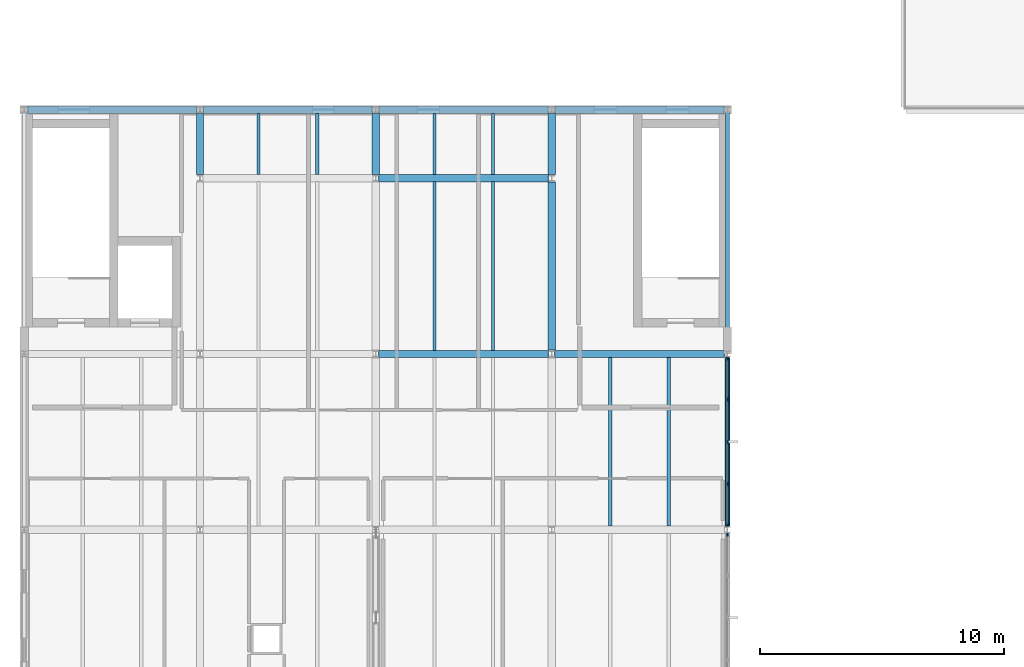
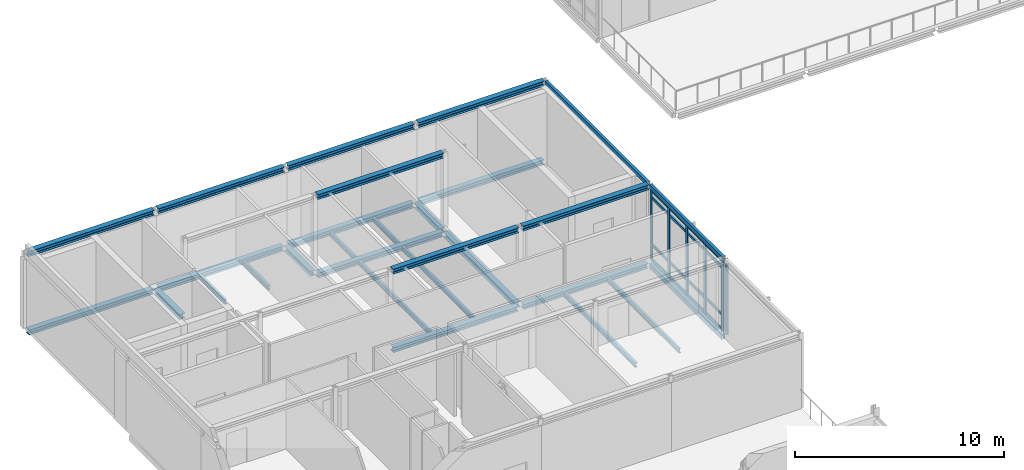
# One storey, part 18 of 53: 29 beams, 22 members, 2 elements without a shape of their own.
"""IFC4 building model written with IfcOpenShell, lengths in metres."""

from ifc_helpers import new_model, si_unit, direction, frame, origin, origin_2d, place, context, subcontext, project, spatial, rectangle, hollow_rectangle, i_section, extrude, material, layer, layer_set, material_profile, profile_set, type_object, element, aggregate, save


model = new_model("IFC4")

# Units and contexts
model_context = context("Model", 3, precision=1e-05, world=origin(), true_north=direction((0.0, 1.0)))
body_context = subcontext(model_context, "Body", "Model", "MODEL_VIEW")
ifc_project = project(units=[si_unit("LENGTHUNIT", "METRE"), si_unit("AREAUNIT", "SQUARE_METRE"), si_unit("VOLUMEUNIT", "CUBIC_METRE"), si_unit("PLANEANGLEUNIT", "RADIAN"), si_unit("MASSUNIT", "GRAM", prefix="KILO")], contexts=[model_context])

# Site, building, storey
site_placement = place(None, origin())
site = spatial("IfcSite", under=ifc_project, at=site_placement, CompositionType="ELEMENT")
building_placement = place(site_placement, origin())
building = spatial("IfcBuilding", under=site, at=building_placement, Name="Zarrinpeak Specialist Clinic", CompositionType="ELEMENT")
storey_placement = place(building_placement, frame((0.0, 0.0, 14.0)))
storey = spatial("IfcBuildingStorey", under=building, at=storey_placement, Name="L03", CompositionType="ELEMENT", Elevation=14.0)

# Beams
ifc_material_1 = material(Name="Steel S355", Category="steel")
ifc_material_profile_1 = material_profile(ifc_material_1, i_section(OverallWidth=0.300048828125, OverallDepth=0.2900390625, WebThickness=0.008544921875, FlangeThickness=0.013916015625, FilletRadius=0.027099609375, at=origin_2d()), Name="HEA 300")
ifc_profile_set_1 = profile_set([ifc_material_profile_1], Name="Steel S355")
beam_type_1 = type_object("IfcBeamType", Name="BM-HEA300", PredefinedType="BEAM", material=ifc_profile_set_1)
beam_1_placement = place(storey_placement, frame((14.548095703125, 72.0, -0.344970703125), z_axis=(1.0, 0.0, 0.0), x_axis=(0.0, 1.0, 0.0)))
element("IfcBeam", 1, at=beam_1_placement, inside=storey, type_object=beam_type_1, Name="L03 Primary Floor Girder BM-L03-X1563", PredefinedType="BEAM", context=body_context, shape_type="SweptSolid", body=[
    extrude(i_section(OverallWidth=0.300048828125, OverallDepth=0.2900390625, WebThickness=0.008544921875, FlangeThickness=0.013916015625, FilletRadius=0.027099609375, at=origin_2d()), origin(), (0.0, 0.0, 1.0), 6.90380859375),
])
beam_2_placement = place(storey_placement, frame((21.748046875, 72.0, -0.344970703125), z_axis=(1.0, 0.0, 0.0), x_axis=(0.0, 1.0, 0.0)))
element("IfcBeam", 2, at=beam_2_placement, inside=storey, type_object=beam_type_1, Name="L03 Primary Floor Girder BM-L03-X1564", PredefinedType="BEAM", context=body_context, shape_type="SweptSolid", body=[
    extrude(i_section(OverallWidth=0.300048828125, OverallDepth=0.2900390625, WebThickness=0.008544921875, FlangeThickness=0.013916015625, FilletRadius=0.027099609375, at=origin_2d()), origin(), (0.0, 0.0, 1.0), 6.904052734375),
])
beam_3_placement = place(storey_placement, frame((14.548095703125, 79.199951171875, -0.344970703125), z_axis=(1.0, 0.0, 0.0), x_axis=(0.0, 1.0, 0.0)))
element("IfcBeam", 3, at=beam_3_placement, inside=storey, type_object=beam_type_1, Name="L03 Primary Floor Girder BM-L03-X1566", PredefinedType="BEAM", context=body_context, shape_type="SweptSolid", body=[
    extrude(i_section(OverallWidth=0.300048828125, OverallDepth=0.2900390625, WebThickness=0.008544921875, FlangeThickness=0.013916015625, FilletRadius=0.027099609375, at=origin_2d()), origin(), (0.0, 0.0, 1.0), 6.90380859375),
])
for number, where, z_axis, x_axis, name in (
    (4, (0.14794921875, 82.0, -0.344970703125), (1.0, 0.0, 0.0), (0.0, 1.0, 0.0), "L03 Primary Floor Girder BM-L03-X1567"),
    (5, (7.347900390625, 82.0, -0.344970703125), (1.0, 0.0, 0.0), (0.0, 1.0, 0.0), "L03 Primary Floor Girder BM-L03-X1568"),
):
    element("IfcBeam", number, at=place(storey_placement, frame(where, z_axis=z_axis, x_axis=x_axis)), inside=storey, type_object=beam_type_1, Name=name, PredefinedType="BEAM", context=body_context, shape_type="SweptSolid", body=[
        extrude(i_section(OverallWidth=0.300048828125, OverallDepth=0.2900390625, WebThickness=0.008544921875, FlangeThickness=0.013916015625, FilletRadius=0.027099609375, at=origin_2d()), origin(), (0.0, 0.0, 1.0), 6.904052734375),
    ])
beam_4_placement = place(storey_placement, frame((14.548095703125, 82.0, -0.344970703125), z_axis=(1.0, 0.0, 0.0), x_axis=(0.0, 1.0, 0.0)))
element("IfcBeam", 6, at=beam_4_placement, inside=storey, type_object=beam_type_1, Name="L03 Primary Floor Girder BM-L03-X1569", PredefinedType="BEAM", context=body_context, shape_type="SweptSolid", body=[
    extrude(i_section(OverallWidth=0.300048828125, OverallDepth=0.2900390625, WebThickness=0.008544921875, FlangeThickness=0.013916015625, FilletRadius=0.027099609375, at=origin_2d()), origin(), (0.0, 0.0, 1.0), 6.90380859375),
])
beam_5_placement = place(storey_placement, frame((21.748046875, 82.0, -0.344970703125), z_axis=(1.0, 0.0, 0.0), x_axis=(0.0, 1.0, 0.0)))
element("IfcBeam", 7, at=beam_5_placement, inside=storey, type_object=beam_type_1, Name="L03 Primary Floor Girder BM-L03-X1570", PredefinedType="BEAM", context=body_context, shape_type="SweptSolid", body=[
    extrude(i_section(OverallWidth=0.300048828125, OverallDepth=0.2900390625, WebThickness=0.008544921875, FlangeThickness=0.013916015625, FilletRadius=0.027099609375, at=origin_2d()), origin(), (0.0, 0.0, 1.0), 6.904052734375),
])
for number, where, z_axis, x_axis, name in (
    (8, (7.199951171875, 79.35791015625, -0.344970703125), (0.0, 1.0, 0.0), (-1.0, 0.0, 0.0), "L03 Primary Beam BM-L03-Y1611"),
    (9, (14.39990234375, 79.35791015625, -0.344970703125), (0.0, 1.0, 0.0), (-1.0, 0.0, 0.0), "L03 Primary Beam BM-L03-Y1623"),
):
    element("IfcBeam", number, at=place(storey_placement, frame(where, z_axis=z_axis, x_axis=x_axis)), inside=storey, type_object=beam_type_1, Name=name, PredefinedType="BEAM", context=body_context, shape_type="SweptSolid", body=[
        extrude(i_section(OverallWidth=0.300048828125, OverallDepth=0.2900390625, WebThickness=0.008544921875, FlangeThickness=0.013916015625, FilletRadius=0.027099609375, at=origin_2d()), origin(), (0.0, 0.0, 1.0), 2.484130859375),
    ])
beam_6_placement = place(storey_placement, frame((21.60009765625, 72.157958984375, -0.344970703125), z_axis=(0.0, 1.0, 0.0), x_axis=(-1.0, 0.0, 0.0)))
element("IfcBeam", 10, at=beam_6_placement, inside=storey, type_object=beam_type_1, Name="L03 Primary Beam BM-L03-Y1634", PredefinedType="BEAM", context=body_context, shape_type="SweptSolid", body=[
    extrude(i_section(OverallWidth=0.300048828125, OverallDepth=0.2900390625, WebThickness=0.008544921875, FlangeThickness=0.013916015625, FilletRadius=0.027099609375, at=origin_2d()), origin(), (0.0, 0.0, 1.0), 6.884033203125),
])
beam_7_placement = place(storey_placement, frame((21.60009765625, 79.35791015625, -0.344970703125), z_axis=(0.0, 1.0, 0.0), x_axis=(-1.0, 0.0, 0.0)))
element("IfcBeam", 11, at=beam_7_placement, inside=storey, type_object=beam_type_1, Name="L03 Primary Beam BM-L03-Y1635", PredefinedType="BEAM", context=body_context, shape_type="SweptSolid", body=[
    extrude(i_section(OverallWidth=0.300048828125, OverallDepth=0.2900390625, WebThickness=0.008544921875, FlangeThickness=0.013916015625, FilletRadius=0.027099609375, at=origin_2d()), origin(), (0.0, 0.0, 1.0), 2.484130859375),
])
for number, where, z_axis, x_axis, name in (
    (12, (14.51806640625, 72.0, 4.25), (1.0, 0.0, 0.0), (0.0, 1.0, 0.0), "L03 Gable Eave Tie Girder V5 BM-RF-EAVE-2433"),
    (13, (21.718017578125, 72.0, 4.25), (1.0, 0.0, 0.0), (0.0, 1.0, 0.0), "L03 Gable Eave Tie Girder V5 BM-RF-EAVE-2434"),
    (14, (14.51806640625, 79.199951171875, 4.25), (1.0, 0.0, 0.0), (0.0, 1.0, 0.0), "L03 Gable Eave Tie Girder V5 BM-RF-EAVE-2436"),
):
    element("IfcBeam", number, at=place(storey_placement, frame(where, z_axis=z_axis, x_axis=x_axis)), inside=storey, type_object=beam_type_1, Name=name, PredefinedType="BEAM", context=body_context, shape_type="SweptSolid", body=[
        extrude(i_section(OverallWidth=0.300048828125, OverallDepth=0.2900390625, WebThickness=0.008544921875, FlangeThickness=0.013916015625, FilletRadius=0.027099609375, at=origin_2d()), origin(), (0.0, 0.0, 1.0), 6.9638671875),
    ])
beam_8_placement = place(storey_placement, frame((0.117919921875, 82.0, 4.25), z_axis=(1.0, 0.0, 0.0), x_axis=(0.0, 1.0, 0.0)))
element("IfcBeam", 15, at=beam_8_placement, inside=storey, type_object=beam_type_1, Name="L03 Gable Eave Tie Girder V5 BM-RF-EAVE-2437", PredefinedType="BEAM", context=body_context, shape_type="SweptSolid", body=[
    extrude(i_section(OverallWidth=0.300048828125, OverallDepth=0.2900390625, WebThickness=0.008544921875, FlangeThickness=0.013916015625, FilletRadius=0.027099609375, at=origin_2d()), origin(), (0.0, 0.0, 1.0), 6.964111328125),
])
for number, where, z_axis, x_axis, name in (
    (16, (7.318115234375, 82.0, 4.25), (1.0, 0.0, 0.0), (0.0, 1.0, 0.0), "L03 Gable Eave Tie Girder V5 BM-RF-EAVE-2438"),
    (17, (14.51806640625, 82.0, 4.25), (1.0, 0.0, 0.0), (0.0, 1.0, 0.0), "L03 Gable Eave Tie Girder V5 BM-RF-EAVE-2439"),
    (18, (21.718017578125, 82.0, 4.25), (1.0, 0.0, 0.0), (0.0, 1.0, 0.0), "L03 Gable Eave Tie Girder V5 BM-RF-EAVE-2440"),
):
    element("IfcBeam", number, at=place(storey_placement, frame(where, z_axis=z_axis, x_axis=x_axis)), inside=storey, type_object=beam_type_1, Name=name, PredefinedType="BEAM", context=body_context, shape_type="SweptSolid", body=[
        extrude(i_section(OverallWidth=0.300048828125, OverallDepth=0.2900390625, WebThickness=0.008544921875, FlangeThickness=0.013916015625, FilletRadius=0.027099609375, at=origin_2d()), origin(), (0.0, 0.0, 1.0), 6.9638671875),
    ])
ifc_material_profile_2 = material_profile(ifc_material_1, i_section(OverallWidth=0.135009765625, OverallDepth=0.27001953125, WebThickness=0.006591796875, FlangeThickness=0.01025390625, FilletRadius=0.014892578125, at=origin_2d()), Name="IPE 270")
ifc_profile_set_2 = profile_set([ifc_material_profile_2], Name="Steel S355")
beam_type_2 = type_object("IfcBeamType", Name="BM-JST270", PredefinedType="JOIST", material=ifc_profile_set_2)
for number, where, z_axis, x_axis, name in (
    (19, (9.60009765625, 79.347900390625, -0.3349609375), (0.0, 1.0, 0.0), (-1.0, 0.0, 0.0), "L03 Composite Floor Joist JST-L03-1770"),
    (20, (12.0, 79.347900390625, -0.3349609375), (0.0, 1.0, 0.0), (-1.0, 0.0, 0.0), "L03 Composite Floor Joist JST-L03-1771"),
):
    element("IfcBeam", number, at=place(storey_placement, frame(where, z_axis=z_axis, x_axis=x_axis)), inside=storey, type_object=beam_type_2, Name=name, PredefinedType="JOIST", context=body_context, shape_type="SweptSolid", body=[
        extrude(i_section(OverallWidth=0.135009765625, OverallDepth=0.27001953125, WebThickness=0.006591796875, FlangeThickness=0.01025390625, FilletRadius=0.014892578125, at=origin_2d()), origin(), (0.0, 0.0, 1.0), 2.504150390625),
    ])
for number, where, z_axis, x_axis, name in (
    (21, (16.800048828125, 72.14794921875, -0.3349609375), (0.0, 1.0, 0.0), (-1.0, 0.0, 0.0), "L03 Composite Floor Joist JST-L03-1776"),
    (22, (19.199951171875, 72.14794921875, -0.3349609375), (0.0, 1.0, 0.0), (-1.0, 0.0, 0.0), "L03 Composite Floor Joist JST-L03-1777"),
):
    element("IfcBeam", number, at=place(storey_placement, frame(where, z_axis=z_axis, x_axis=x_axis)), inside=storey, type_object=beam_type_2, Name=name, PredefinedType="JOIST", context=body_context, shape_type="SweptSolid", body=[
        extrude(i_section(OverallWidth=0.135009765625, OverallDepth=0.27001953125, WebThickness=0.006591796875, FlangeThickness=0.01025390625, FilletRadius=0.014892578125, at=origin_2d()), origin(), (0.0, 0.0, 1.0), 6.904052734375),
    ])
for number, where, z_axis, x_axis, name in (
    (23, (16.800048828125, 79.347900390625, -0.3349609375), (0.0, 1.0, 0.0), (-1.0, 0.0, 0.0), "L03 Composite Floor Joist JST-L03-1778"),
    (24, (19.199951171875, 79.347900390625, -0.3349609375), (0.0, 1.0, 0.0), (-1.0, 0.0, 0.0), "L03 Composite Floor Joist JST-L03-1779"),
):
    element("IfcBeam", number, at=place(storey_placement, frame(where, z_axis=z_axis, x_axis=x_axis)), inside=storey, type_object=beam_type_2, Name=name, PredefinedType="JOIST", context=body_context, shape_type="SweptSolid", body=[
        extrude(i_section(OverallWidth=0.135009765625, OverallDepth=0.27001953125, WebThickness=0.006591796875, FlangeThickness=0.01025390625, FilletRadius=0.014892578125, at=origin_2d()), origin(), (0.0, 0.0, 1.0), 2.504150390625),
    ])
for number, where, z_axis, x_axis, name in (
    (25, (24.0, 64.947998046875, -0.3349609375), (0.0, 1.0, 0.0), (-1.0, 0.0, 0.0), "L03 Composite Floor Joist JST-L03-1782"),
    (26, (26.39990234375, 64.947998046875, -0.3349609375), (0.0, 1.0, 0.0), (-1.0, 0.0, 0.0), "L03 Composite Floor Joist JST-L03-1783"),
):
    element("IfcBeam", number, at=place(storey_placement, frame(where, z_axis=z_axis, x_axis=x_axis)), inside=storey, type_object=beam_type_2, Name=name, PredefinedType="JOIST", context=body_context, shape_type="SweptSolid", body=[
        extrude(i_section(OverallWidth=0.135009765625, OverallDepth=0.27001953125, WebThickness=0.006591796875, FlangeThickness=0.01025390625, FilletRadius=0.014892578125, at=origin_2d()), origin(), (0.0, 0.0, 1.0), 6.904052734375),
    ])
ifc_material_profile_3 = material_profile(ifc_material_1, hollow_rectangle(XDim=0.14990234375, YDim=0.25, WallThickness=0.010009765625, at=origin_2d()), Name="RHS 250x150x10.0")
ifc_profile_set_3 = profile_set([ifc_material_profile_3], Name="Steel S355")
beam_type_3 = type_object("IfcBeamType", Name="BM-SP250", PredefinedType="SPANDREL", material=ifc_profile_set_3)
beam_9_placement = place(storey_placement, frame((28.800048828125, 64.91796875, 4.25), z_axis=(0.0, 1.0, 0.0), x_axis=(-1.0, 0.0, 0.0)))
element("IfcBeam", 27, at=beam_9_placement, inside=storey, type_object=beam_type_3, Name="L03 Gable Eave Spandrel Beam V5 BM-RF-SP-2445", PredefinedType="SPANDREL", context=body_context, shape_type="SweptSolid", body=[
    extrude(hollow_rectangle(XDim=0.14990234375, YDim=0.25, WallThickness=0.010009765625, at=origin_2d()), origin(), (0.0, 0.0, 1.0), 6.964111328125),
])
beam_10_placement = place(storey_placement, frame((28.800048828125, 72.117919921875, 4.25), z_axis=(0.0, 1.0, 0.0), x_axis=(-1.0, 0.0, 0.0)))
element("IfcBeam", 28, at=beam_10_placement, inside=storey, type_object=beam_type_3, Name="L03 Gable Eave Spandrel Beam V5 BM-RF-SP-2446", PredefinedType="SPANDREL", context=body_context, shape_type="SweptSolid", body=[
    extrude(hollow_rectangle(XDim=0.14990234375, YDim=0.25, WallThickness=0.010009765625, at=origin_2d()), origin(), (0.0, 0.0, 1.0), 9.76416015625),
])
ifc_material_profile_4 = material_profile(ifc_material_1, hollow_rectangle(XDim=0.199951171875, YDim=0.300048828125, WallThickness=0.012451171875, at=origin_2d()), Name="RHS 300x200x12.5")
ifc_profile_set_4 = profile_set([ifc_material_profile_4], Name="Steel S355")
beam_type_4 = type_object("IfcBeamType", Name="BM-SP300", PredefinedType="SPANDREL", material=ifc_profile_set_4)
beam_11_placement = place(storey_placement, frame((28.800048828125, 64.9580078125, -0.35009765625), z_axis=(0.0, 1.0, 0.0), x_axis=(-1.0, 0.0, 0.0)))
element("IfcBeam", 29, at=beam_11_placement, inside=storey, type_object=beam_type_4, Name="L03 Perimeter Spandrel Beam BM-L03-Y1642", PredefinedType="SPANDREL", context=body_context, shape_type="SweptSolid", body=[
    extrude(hollow_rectangle(XDim=0.199951171875, YDim=0.300048828125, WallThickness=0.012451171875, at=origin_2d()), origin(), (0.0, 0.0, 1.0), 6.884033203125),
])

# Curtain wall, member
ifc_material_2 = material(Name="Anodised Aluminium Alloy 6063-T6", Category="aluminium")
ifc_layer = layer(ifc_material_2, 0.179931640625)
ifc_layer_set = layer_set([ifc_layer], Name="Anodised Aluminium Alloy 6063-T6")
curtain_wall_type = type_object("IfcCurtainWallType", Name="CW-COURT", PredefinedType="NOTDEFINED", material=ifc_layer_set)
curtain_wall_1_placement = place(storey_placement, origin())
curtain_wall_1 = element("IfcCurtainWall", 30, at=curtain_wall_1_placement, inside=storey, type_object=curtain_wall_type, Name="L03 V5 Unitised Curtain Wall CW-L03-V5-127", PredefinedType="NOTDEFINED")
ifc_material_profile_5 = material_profile(ifc_material_2, rectangle(XDim=0.074951171875, YDim=0.179931640625, at=origin_2d()), Name="ALU 75x180")
ifc_profile_set_5 = profile_set([ifc_material_profile_5], Name="Anodised Aluminium Alloy 6063-T6")
member_type_1 = type_object("IfcMemberType", Name="CWM-75", PredefinedType="MULLION", material=ifc_profile_set_5)
member_1_placement = place(storey_placement, frame((28.800048828125, 64.617431640625, 0.0), z_axis=(0.0, 0.0, 1.0), x_axis=(-1.0, 0.0, 0.0)))
member_1 = element("IfcMember", 31, at=member_1_placement, type_object=member_type_1, Name="CW-01 mullion 5", PredefinedType="MULLION", context=body_context, shape_type="SweptSolid", body=[
    extrude(rectangle(XDim=0.074951171875, YDim=0.179931640625, at=origin_2d()), origin(), (0.0, 0.0, 1.0), 4.110107421875),
])
aggregate(curtain_wall_1, [member_1])

# Curtain wall, members
curtain_wall_2_placement = place(storey_placement, origin())
curtain_wall_2 = element("IfcCurtainWall", 32, at=curtain_wall_2_placement, inside=storey, type_object=curtain_wall_type, Name="L03 V5 Unitised Curtain Wall CW-L03-V5-128", PredefinedType="NOTDEFINED")
member_2_placement = place(storey_placement, frame((28.800048828125, 64.982421875, 0.0), z_axis=(0.0, 0.0, 1.0), x_axis=(-1.0, 0.0, 0.0)))
member_2 = element("IfcMember", 33, at=member_2_placement, type_object=member_type_1, Name="CW-01 mullion 1", PredefinedType="MULLION", context=body_context, shape_type="SweptSolid", body=[
    extrude(rectangle(XDim=0.074951171875, YDim=0.179931640625, at=origin_2d()), origin(), (0.0, 0.0, 1.0), 4.110107421875),
])
member_3_placement = place(storey_placement, frame((28.800048828125, 66.672607421875, 0.0), z_axis=(0.0, 0.0, 1.0), x_axis=(-1.0, 0.0, 0.0)))
member_3 = element("IfcMember", 34, at=member_3_placement, type_object=member_type_1, Name="CW-01 mullion 2", PredefinedType="MULLION", context=body_context, shape_type="SweptSolid", body=[
    extrude(rectangle(XDim=0.074951171875, YDim=0.179931640625, at=origin_2d()), origin(), (0.0, 0.0, 1.0), 4.110107421875),
])
member_4_placement = place(storey_placement, frame((28.800048828125, 68.39990234375, 0.0), z_axis=(0.0, 0.0, 1.0), x_axis=(-1.0, 0.0, 0.0)))
member_4 = element("IfcMember", 35, at=member_4_placement, type_object=member_type_1, Name="CW-01 mullion 3", PredefinedType="MULLION", context=body_context, shape_type="SweptSolid", body=[
    extrude(rectangle(XDim=0.074951171875, YDim=0.179931640625, at=origin_2d()), origin(), (0.0, 0.0, 1.0), 4.110107421875),
])
member_5_placement = place(storey_placement, frame((28.800048828125, 70.12744140625, 0.0), z_axis=(0.0, 0.0, 1.0), x_axis=(-1.0, 0.0, 0.0)))
member_5 = element("IfcMember", 36, at=member_5_placement, type_object=member_type_1, Name="CW-01 mullion 4", PredefinedType="MULLION", context=body_context, shape_type="SweptSolid", body=[
    extrude(rectangle(XDim=0.074951171875, YDim=0.179931640625, at=origin_2d()), origin(), (0.0, 0.0, 1.0), 4.110107421875),
])
member_6_placement = place(storey_placement, frame((28.800048828125, 71.8173828125, 0.0), z_axis=(0.0, 0.0, 1.0), x_axis=(-1.0, 0.0, 0.0)))
member_6 = element("IfcMember", 37, at=member_6_placement, type_object=member_type_1, Name="CW-01 mullion 5", PredefinedType="MULLION", context=body_context, shape_type="SweptSolid", body=[
    extrude(rectangle(XDim=0.074951171875, YDim=0.179931640625, at=origin_2d()), origin(), (0.0, 0.0, 1.0), 4.110107421875),
])
ifc_material_profile_6 = material_profile(ifc_material_2, rectangle(XDim=0.074951171875, YDim=0.159912109375, at=origin_2d()), Name="ALU 75x160")
ifc_profile_set_6 = profile_set([ifc_material_profile_6], Name="Anodised Aluminium Alloy 6063-T6")
member_type_2 = type_object("IfcMemberType", Name="CWT-75", PredefinedType="USERDEFINED", material=ifc_profile_set_6)
member_7_placement = place(storey_placement, frame((28.800048828125, 65.02001953125, 0.03759765625), z_axis=(0.0, 1.0, 0.0), x_axis=(-1.0, 0.0, 0.0)))
member_7 = element("IfcMember", 38, at=member_7_placement, type_object=member_type_2, Name="CW-01 transom 1.1", ObjectType="TRANSOM", PredefinedType="USERDEFINED", context=body_context, shape_type="SweptSolid", body=[
    extrude(rectangle(XDim=0.074951171875, YDim=0.159912109375, at=origin_2d()), origin(), (0.0, 0.0, 1.0), 1.614990234375),
])
member_8_placement = place(storey_placement, frame((28.800048828125, 65.02001953125, 0.89990234375), z_axis=(0.0, 1.0, 0.0), x_axis=(-1.0, 0.0, 0.0)))
member_8 = element("IfcMember", 39, at=member_8_placement, type_object=member_type_2, Name="CW-01 transom 1.2", ObjectType="TRANSOM", PredefinedType="USERDEFINED", context=body_context, shape_type="SweptSolid", body=[
    extrude(rectangle(XDim=0.074951171875, YDim=0.159912109375, at=origin_2d()), origin(), (0.0, 0.0, 1.0), 1.614990234375),
])
member_9_placement = place(storey_placement, frame((28.800048828125, 65.02001953125, 3.659912109375), z_axis=(0.0, 1.0, 0.0), x_axis=(-1.0, 0.0, 0.0)))
member_9 = element("IfcMember", 40, at=member_9_placement, type_object=member_type_2, Name="CW-01 transom 1.3", ObjectType="TRANSOM", PredefinedType="USERDEFINED", context=body_context, shape_type="SweptSolid", body=[
    extrude(rectangle(XDim=0.074951171875, YDim=0.159912109375, at=origin_2d()), origin(), (0.0, 0.0, 1.0), 1.614990234375),
])
member_10_placement = place(storey_placement, frame((28.800048828125, 65.02001953125, 4.072509765625), z_axis=(0.0, 1.0, 0.0), x_axis=(-1.0, 0.0, 0.0)))
member_10 = element("IfcMember", 41, at=member_10_placement, type_object=member_type_2, Name="CW-01 transom 1.4", ObjectType="TRANSOM", PredefinedType="USERDEFINED", context=body_context, shape_type="SweptSolid", body=[
    extrude(rectangle(XDim=0.074951171875, YDim=0.159912109375, at=origin_2d()), origin(), (0.0, 0.0, 1.0), 1.614990234375),
])
member_11_placement = place(storey_placement, frame((28.800048828125, 66.7099609375, 0.03759765625), z_axis=(0.0, 1.0, 0.0), x_axis=(-1.0, 0.0, 0.0)))
member_11 = element("IfcMember", 42, at=member_11_placement, type_object=member_type_2, Name="CW-01 transom 2.1", ObjectType="TRANSOM", PredefinedType="USERDEFINED", context=body_context, shape_type="SweptSolid", body=[
    extrude(rectangle(XDim=0.074951171875, YDim=0.159912109375, at=origin_2d()), origin(), (0.0, 0.0, 1.0), 1.652587890625),
])
member_12_placement = place(storey_placement, frame((28.800048828125, 66.7099609375, 0.89990234375), z_axis=(0.0, 1.0, 0.0), x_axis=(-1.0, 0.0, 0.0)))
member_12 = element("IfcMember", 43, at=member_12_placement, type_object=member_type_2, Name="CW-01 transom 2.2", ObjectType="TRANSOM", PredefinedType="USERDEFINED", context=body_context, shape_type="SweptSolid", body=[
    extrude(rectangle(XDim=0.074951171875, YDim=0.159912109375, at=origin_2d()), origin(), (0.0, 0.0, 1.0), 1.652587890625),
])
member_13_placement = place(storey_placement, frame((28.800048828125, 66.7099609375, 3.659912109375), z_axis=(0.0, 1.0, 0.0), x_axis=(-1.0, 0.0, 0.0)))
member_13 = element("IfcMember", 44, at=member_13_placement, type_object=member_type_2, Name="CW-01 transom 2.3", ObjectType="TRANSOM", PredefinedType="USERDEFINED", context=body_context, shape_type="SweptSolid", body=[
    extrude(rectangle(XDim=0.074951171875, YDim=0.159912109375, at=origin_2d()), origin(), (0.0, 0.0, 1.0), 1.652587890625),
])
member_14_placement = place(storey_placement, frame((28.800048828125, 66.7099609375, 4.072509765625), z_axis=(0.0, 1.0, 0.0), x_axis=(-1.0, 0.0, 0.0)))
member_14 = element("IfcMember", 45, at=member_14_placement, type_object=member_type_2, Name="CW-01 transom 2.4", ObjectType="TRANSOM", PredefinedType="USERDEFINED", context=body_context, shape_type="SweptSolid", body=[
    extrude(rectangle(XDim=0.074951171875, YDim=0.159912109375, at=origin_2d()), origin(), (0.0, 0.0, 1.0), 1.652587890625),
])
member_15_placement = place(storey_placement, frame((28.800048828125, 68.4375, 0.03759765625), z_axis=(0.0, 1.0, 0.0), x_axis=(-1.0, 0.0, 0.0)))
member_15 = element("IfcMember", 46, at=member_15_placement, type_object=member_type_2, Name="CW-01 transom 3.1", ObjectType="TRANSOM", PredefinedType="USERDEFINED", context=body_context, shape_type="SweptSolid", body=[
    extrude(rectangle(XDim=0.074951171875, YDim=0.159912109375, at=origin_2d()), origin(), (0.0, 0.0, 1.0), 1.652587890625),
])
member_16_placement = place(storey_placement, frame((28.800048828125, 68.4375, 0.89990234375), z_axis=(0.0, 1.0, 0.0), x_axis=(-1.0, 0.0, 0.0)))
member_16 = element("IfcMember", 47, at=member_16_placement, type_object=member_type_2, Name="CW-01 transom 3.2", ObjectType="TRANSOM", PredefinedType="USERDEFINED", context=body_context, shape_type="SweptSolid", body=[
    extrude(rectangle(XDim=0.074951171875, YDim=0.159912109375, at=origin_2d()), origin(), (0.0, 0.0, 1.0), 1.652587890625),
])
member_17_placement = place(storey_placement, frame((28.800048828125, 68.4375, 3.659912109375), z_axis=(0.0, 1.0, 0.0), x_axis=(-1.0, 0.0, 0.0)))
member_17 = element("IfcMember", 48, at=member_17_placement, type_object=member_type_2, Name="CW-01 transom 3.3", ObjectType="TRANSOM", PredefinedType="USERDEFINED", context=body_context, shape_type="SweptSolid", body=[
    extrude(rectangle(XDim=0.074951171875, YDim=0.159912109375, at=origin_2d()), origin(), (0.0, 0.0, 1.0), 1.652587890625),
])
member_18_placement = place(storey_placement, frame((28.800048828125, 68.4375, 4.072509765625), z_axis=(0.0, 1.0, 0.0), x_axis=(-1.0, 0.0, 0.0)))
member_18 = element("IfcMember", 49, at=member_18_placement, type_object=member_type_2, Name="CW-01 transom 3.4", ObjectType="TRANSOM", PredefinedType="USERDEFINED", context=body_context, shape_type="SweptSolid", body=[
    extrude(rectangle(XDim=0.074951171875, YDim=0.159912109375, at=origin_2d()), origin(), (0.0, 0.0, 1.0), 1.652587890625),
])
member_19_placement = place(storey_placement, frame((28.800048828125, 70.1650390625, 0.03759765625), z_axis=(0.0, 1.0, 0.0), x_axis=(-1.0, 0.0, 0.0)))
member_19 = element("IfcMember", 50, at=member_19_placement, type_object=member_type_2, Name="CW-01 transom 4.1", ObjectType="TRANSOM", PredefinedType="USERDEFINED", context=body_context, shape_type="SweptSolid", body=[
    extrude(rectangle(XDim=0.074951171875, YDim=0.159912109375, at=origin_2d()), origin(), (0.0, 0.0, 1.0), 1.614990234375),
])
member_20_placement = place(storey_placement, frame((28.800048828125, 70.1650390625, 0.89990234375), z_axis=(0.0, 1.0, 0.0), x_axis=(-1.0, 0.0, 0.0)))
member_20 = element("IfcMember", 51, at=member_20_placement, type_object=member_type_2, Name="CW-01 transom 4.2", ObjectType="TRANSOM", PredefinedType="USERDEFINED", context=body_context, shape_type="SweptSolid", body=[
    extrude(rectangle(XDim=0.074951171875, YDim=0.159912109375, at=origin_2d()), origin(), (0.0, 0.0, 1.0), 1.614990234375),
])
member_21_placement = place(storey_placement, frame((28.800048828125, 70.1650390625, 3.659912109375), z_axis=(0.0, 1.0, 0.0), x_axis=(-1.0, 0.0, 0.0)))
member_21 = element("IfcMember", 52, at=member_21_placement, type_object=member_type_2, Name="CW-01 transom 4.3", ObjectType="TRANSOM", PredefinedType="USERDEFINED", context=body_context, shape_type="SweptSolid", body=[
    extrude(rectangle(XDim=0.074951171875, YDim=0.159912109375, at=origin_2d()), origin(), (0.0, 0.0, 1.0), 1.614990234375),
])
member_22_placement = place(storey_placement, frame((28.800048828125, 70.1650390625, 4.072509765625), z_axis=(0.0, 1.0, 0.0), x_axis=(-1.0, 0.0, 0.0)))
member_22 = element("IfcMember", 53, at=member_22_placement, type_object=member_type_2, Name="CW-01 transom 4.4", ObjectType="TRANSOM", PredefinedType="USERDEFINED", context=body_context, shape_type="SweptSolid", body=[
    extrude(rectangle(XDim=0.074951171875, YDim=0.159912109375, at=origin_2d()), origin(), (0.0, 0.0, 1.0), 1.614990234375),
])
aggregate(curtain_wall_2, [member_2, member_3, member_4, member_5, member_6, member_7, member_8, member_9, member_10, member_11, member_12, member_13, member_14, member_15, member_16, member_17, member_18, member_19, member_20, member_21, member_22])

save(model, "model.ifc")
